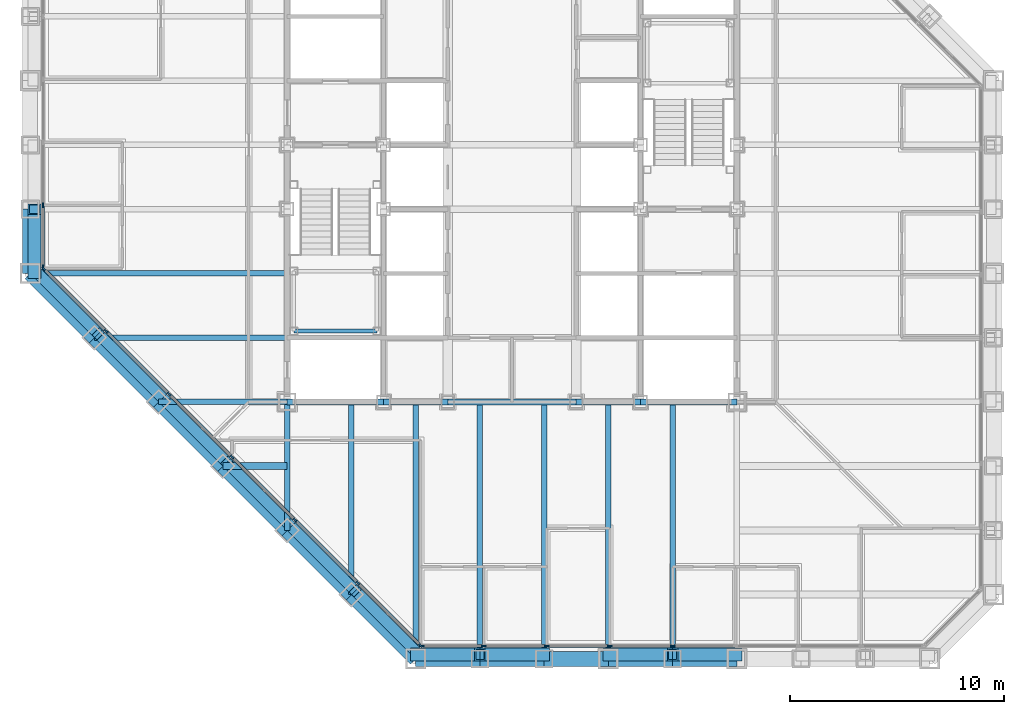
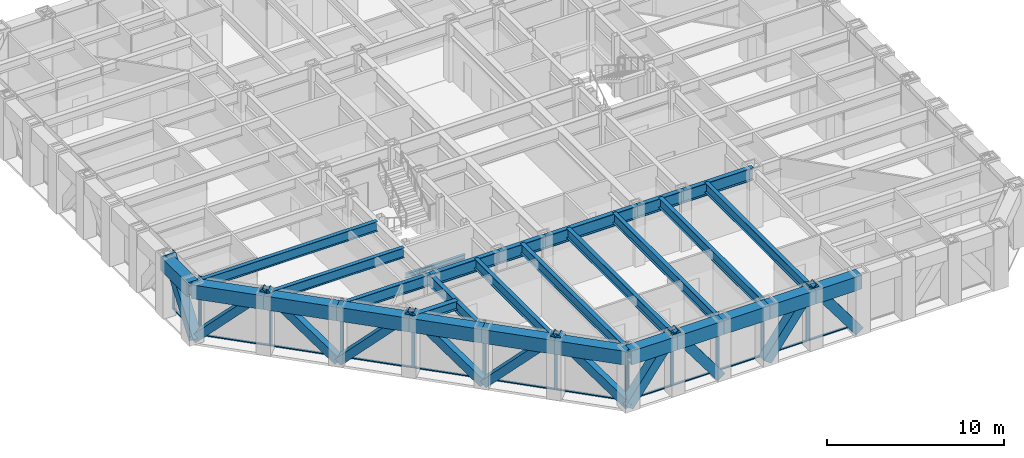
# One storey, part 4 of 17: 37 members, 29 beams, 3 elements without a shape of their own.
"""IFC4 building model written with IfcOpenShell, lengths in metres."""

from ifc_helpers import new_model, si_unit, direction, frame, origin, origin_2d, place, context, subcontext, project, spatial, rectangle, hollow_rectangle, i_section, extrude, material, layer, layer_set, material_profile, profile_set, type_object, element, aggregate, save


model = new_model("IFC4")

# Units and contexts
model_context = context("Model", 3, precision=1e-05, world=origin(), true_north=direction((0.0, 1.0)))
body_context = subcontext(model_context, "Body", "Model", "MODEL_VIEW")
ifc_project = project(units=[si_unit("LENGTHUNIT", "METRE"), si_unit("AREAUNIT", "SQUARE_METRE"), si_unit("VOLUMEUNIT", "CUBIC_METRE"), si_unit("PLANEANGLEUNIT", "RADIAN"), si_unit("MASSUNIT", "GRAM", prefix="KILO")], contexts=[model_context])

# Site, building, storey
site_placement = place(None, origin())
site = spatial("IfcSite", under=ifc_project, at=site_placement, CompositionType="ELEMENT")
building_placement = place(site_placement, origin())
building = spatial("IfcBuilding", under=site, at=building_placement, Name="Chuquiago Exchange Tower", CompositionType="ELEMENT")
storey_placement = place(building_placement, frame((0.0, 0.0, 165.60009765625)))
storey = spatial("IfcBuildingStorey", under=building, at=storey_placement, Name="L36", CompositionType="ELEMENT", Elevation=165.60009765625)

# Beams
ifc_material_1 = material(Name="Steel ASTM A992", Category="steel")
ifc_material_profile_1 = material_profile(ifc_material_1, i_section(OverallWidth=0.25390625, OverallDepth=0.683349609375, WebThickness=0.012451171875, FlangeThickness=0.018798828125, at=origin_2d()), Name="W27X94")
ifc_profile_set_1 = profile_set([ifc_material_profile_1], Name="Steel ASTM A992")
beam_type_1 = type_object("IfcBeamType", Name="B1 W27X94", PredefinedType="BEAM", material=ifc_profile_set_1)
beam_1_placement = place(storey_placement, frame((15.0, 12.0, 3.6982421875), z_axis=(0.0, -1.0, 0.0), x_axis=(1.0, 0.0, 0.0)))
element("IfcBeam", 1, at=beam_1_placement, inside=storey, type_object=beam_type_1, Name="FB-L37-infill-15_12-15_3-0", PredefinedType="BEAM", context=body_context, shape_type="SweptSolid", body=[
    extrude(i_section(OverallWidth=0.25390625, OverallDepth=0.683349609375, WebThickness=0.012451171875, FlangeThickness=0.018798828125, at=origin_2d()), origin(), (0.0, 0.0, 1.0), 9.0),
])
for number, where, z_axis, x_axis, name in (
    (2, (18.0, 12.0, 3.6982421875), (0.0, -1.0, 0.0), (1.0, 0.0, 0.0), "FB-L37-infill-18_12-18_-0-0"),
    (3, (21.0, 12.0, 3.6982421875), (0.0, -1.0, 0.0), (1.0, 0.0, 0.0), "FB-L37-infill-21_12-21_-0-0"),
    (4, (24.0, 12.0, 3.6982421875), (0.0, -1.0, 0.0), (1.0, 0.0, 0.0), "FB-L37-infill-24_12-24_-0-0"),
    (5, (27.0, 12.0, 3.6982421875), (0.0, -1.0, 0.0), (1.0, 0.0, 0.0), "FB-L37-infill-27_12-27_-0-0"),
    (6, (30.0, 12.0, 3.6982421875), (0.0, -1.0, 0.0), (1.0, 0.0, 0.0), "FB-L37-infill-30_12-30_-0-0"),
):
    element("IfcBeam", number, at=place(storey_placement, frame(where, z_axis=z_axis, x_axis=x_axis)), inside=storey, type_object=beam_type_1, Name=name, PredefinedType="BEAM", context=body_context, shape_type="SweptSolid", body=[
        extrude(i_section(OverallWidth=0.25390625, OverallDepth=0.683349609375, WebThickness=0.012451171875, FlangeThickness=0.018798828125, at=origin_2d()), origin(), (0.0, 0.0, 1.0), 12.0),
    ])
beam_2_placement = place(storey_placement, frame((12.0, 15.0, 3.6982421875), z_axis=(-1.0, 0.0, 0.0), x_axis=(0.0, -1.0, 0.0)))
element("IfcBeam", 7, at=beam_2_placement, inside=storey, type_object=beam_type_1, Name="FB-L37-infill-12_15-3_15-0", PredefinedType="BEAM", context=body_context, shape_type="SweptSolid", body=[
    extrude(i_section(OverallWidth=0.25390625, OverallDepth=0.683349609375, WebThickness=0.012451171875, FlangeThickness=0.018798828125, at=origin_2d()), origin(), (0.0, 0.0, 1.0), 9.0),
])
beam_3_placement = place(storey_placement, frame((12.0, 18.0, 3.6982421875), z_axis=(-1.0, 0.0, 0.0), x_axis=(0.0, -1.0, 0.0)))
element("IfcBeam", 8, at=beam_3_placement, inside=storey, type_object=beam_type_1, Name="FB-L37-infill-12_18--0_18-0", PredefinedType="BEAM", context=body_context, shape_type="SweptSolid", body=[
    extrude(i_section(OverallWidth=0.25390625, OverallDepth=0.683349609375, WebThickness=0.012451171875, FlangeThickness=0.018798828125, at=origin_2d()), origin(), (0.0, 0.0, 1.0), 12.0),
])
ifc_material_2 = material(Name="Steel ASTM A992", Category="steel")
ifc_material_profile_2 = material_profile(ifc_material_2, i_section(OverallWidth=0.3251953125, OverallDepth=0.612060546875, WebThickness=0.0126953125, FlangeThickness=0.01904296875, at=origin_2d()), Name="W24X104")
ifc_profile_set_2 = profile_set([ifc_material_profile_2], Name="Steel ASTM A992")
beam_type_2 = type_object("IfcBeamType", Name="B2 W24X104", PredefinedType="BEAM", material=ifc_profile_set_2)
beam_4_placement = place(storey_placement, frame((12.0, 9.0, 3.73388671875), z_axis=(-1.0, 0.0, 0.0), x_axis=(0.0, -1.0, 0.0)))
element("IfcBeam", 9, at=beam_4_placement, inside=storey, type_object=beam_type_2, Name="FB-L37-corner-12_9-9_9-0", PredefinedType="BEAM", context=body_context, shape_type="SweptSolid", body=[
    extrude(i_section(OverallWidth=0.3251953125, OverallDepth=0.612060546875, WebThickness=0.0126953125, FlangeThickness=0.01904296875, at=origin_2d()), origin(), (0.0, 0.0, 1.0), 3.0),
])
ifc_material_3 = material(Name="Steel ASTM A992", Category="steel")
ifc_material_profile_3 = material_profile(ifc_material_3, i_section(OverallWidth=0.2919921875, OverallDepth=0.8583984375, WebThickness=0.01708984375, FlangeThickness=0.031005859375, at=origin_2d()), Name="W33X169")
ifc_profile_set_3 = profile_set([ifc_material_profile_3], Name="Steel ASTM A992")
beam_type_3 = type_object("IfcBeamType", Name="B3 W33X169", PredefinedType="BEAM", material=ifc_profile_set_3)
beam_5_placement = place(storey_placement, frame((12.0, 12.0, 3.610595703125), z_axis=(1.0, 0.0, 0.0), x_axis=(0.0, 1.0, 0.0)))
element("IfcBeam", 10, at=beam_5_placement, inside=storey, type_object=beam_type_3, Name="CB-L37-12_12-16.5_12", PredefinedType="BEAM", context=body_context, shape_type="SweptSolid", body=[
    extrude(i_section(OverallWidth=0.2919921875, OverallDepth=0.8583984375, WebThickness=0.01708984375, FlangeThickness=0.031005859375, at=origin_2d()), origin(), (0.0, 0.0, 1.0), 4.5),
])
beam_6_placement = place(storey_placement, frame((16.5, 12.0, 3.610595703125), z_axis=(1.0, 0.0, 0.0), x_axis=(0.0, 1.0, 0.0)))
element("IfcBeam", 11, at=beam_6_placement, inside=storey, type_object=beam_type_3, Name="CB-L37-16.5_12-19.5_12", PredefinedType="BEAM", context=body_context, shape_type="SweptSolid", body=[
    extrude(i_section(OverallWidth=0.2919921875, OverallDepth=0.8583984375, WebThickness=0.01708984375, FlangeThickness=0.031005859375, at=origin_2d()), origin(), (0.0, 0.0, 1.0), 3.0),
])
beam_7_placement = place(storey_placement, frame((19.5, 12.0, 3.610595703125), z_axis=(1.0, 0.0, 0.0), x_axis=(0.0, 1.0, 0.0)))
element("IfcBeam", 12, at=beam_7_placement, inside=storey, type_object=beam_type_3, Name="CB-L37-19.5_12-25.5_12", PredefinedType="BEAM", context=body_context, shape_type="SweptSolid", body=[
    extrude(i_section(OverallWidth=0.2919921875, OverallDepth=0.8583984375, WebThickness=0.01708984375, FlangeThickness=0.031005859375, at=origin_2d()), origin(), (0.0, 0.0, 1.0), 6.0),
])
beam_8_placement = place(storey_placement, frame((25.5, 12.0, 3.610595703125), z_axis=(1.0, 0.0, 0.0), x_axis=(0.0, 1.0, 0.0)))
element("IfcBeam", 13, at=beam_8_placement, inside=storey, type_object=beam_type_3, Name="CB-L37-25.5_12-28.5_12", PredefinedType="BEAM", context=body_context, shape_type="SweptSolid", body=[
    extrude(i_section(OverallWidth=0.2919921875, OverallDepth=0.8583984375, WebThickness=0.01708984375, FlangeThickness=0.031005859375, at=origin_2d()), origin(), (0.0, 0.0, 1.0), 3.0),
])
beam_9_placement = place(storey_placement, frame((28.5, 12.0, 3.610595703125), z_axis=(1.0, 0.0, 0.0), x_axis=(0.0, 1.0, 0.0)))
element("IfcBeam", 14, at=beam_9_placement, inside=storey, type_object=beam_type_3, Name="CB-L37-28.5_12-33_12", PredefinedType="BEAM", context=body_context, shape_type="SweptSolid", body=[
    extrude(i_section(OverallWidth=0.2919921875, OverallDepth=0.8583984375, WebThickness=0.01708984375, FlangeThickness=0.031005859375, at=origin_2d()), origin(), (0.0, 0.0, 1.0), 4.5),
])

# Curtain wall, members
ifc_material_4 = material(Name="Aluminium curtain wall system", Category="aluminium")
ifc_layer_1 = layer(ifc_material_4, 0.22509765625)
ifc_layer_set_1 = layer_set([ifc_layer_1], Name="CW2 office curtain wall")
curtain_wall_type_1 = type_object("IfcCurtainWallType", Name="CW2 office curtain wall", PredefinedType="NOTDEFINED", material=ifc_layer_set_1)
curtain_wall_1_placement = place(storey_placement, origin())
curtain_wall_1 = element("IfcCurtainWall", 15, at=curtain_wall_1_placement, inside=storey, type_object=curtain_wall_type_1, Name="CW2 curtain wall L36", PredefinedType="NOTDEFINED")
ifc_material_5 = material(Name="Aluminium mullion, pale anodised", Category="aluminium")
ifc_material_profile_4 = material_profile(ifc_material_5, rectangle(XDim=0.06494140625, YDim=0.22509765625, at=origin_2d()), Name="AL 65x225")
ifc_profile_set_4 = profile_set([ifc_material_profile_4], Name="Aluminium mullion, pale anodised")
member_type_1 = type_object("IfcMemberType", Name="CW2-M mullion 65x225", PredefinedType="MULLION", material=ifc_profile_set_4)
member_1_placement = place(storey_placement, frame((18.281005859375, 0.60009765625, 0.0), z_axis=(0.0, 0.0, 1.0), x_axis=(0.0, 1.0, 0.0)))
member_1 = element("IfcMember", 16, at=member_1_placement, type_object=member_type_1, Name="CW2 mullion 1", PredefinedType="MULLION", context=body_context, shape_type="SweptSolid", body=[
    extrude(rectangle(XDim=0.06494140625, YDim=0.22509765625, at=origin_2d()), origin(), (0.0, 0.0, 1.0), 4.039794921875),
])
member_2_placement = place(storey_placement, frame((21.186279296875, 0.60009765625, 0.0), z_axis=(0.0, 0.0, 1.0), x_axis=(0.0, 1.0, 0.0)))
member_2 = element("IfcMember", 17, at=member_2_placement, type_object=member_type_1, Name="CW2 mullion 2", PredefinedType="MULLION", context=body_context, shape_type="SweptSolid", body=[
    extrude(rectangle(XDim=0.06494140625, YDim=0.22509765625, at=origin_2d()), origin(), (0.0, 0.0, 1.0), 4.039794921875),
])
member_3_placement = place(storey_placement, frame((24.124267578125, 0.60009765625, 0.0), z_axis=(0.0, 0.0, 1.0), x_axis=(0.0, 1.0, 0.0)))
member_3 = element("IfcMember", 18, at=member_3_placement, type_object=member_type_1, Name="CW2 mullion 3", PredefinedType="MULLION", context=body_context, shape_type="SweptSolid", body=[
    extrude(rectangle(XDim=0.06494140625, YDim=0.22509765625, at=origin_2d()), origin(), (0.0, 0.0, 1.0), 4.039794921875),
])
member_4_placement = place(storey_placement, frame((27.06201171875, 0.60009765625, 0.0), z_axis=(0.0, 0.0, 1.0), x_axis=(0.0, 1.0, 0.0)))
member_4 = element("IfcMember", 19, at=member_4_placement, type_object=member_type_1, Name="CW2 mullion 4", PredefinedType="MULLION", context=body_context, shape_type="SweptSolid", body=[
    extrude(rectangle(XDim=0.06494140625, YDim=0.22509765625, at=origin_2d()), origin(), (0.0, 0.0, 1.0), 4.039794921875),
])
member_5_placement = place(storey_placement, frame((30.0, 0.60009765625, 0.0), z_axis=(0.0, 0.0, 1.0), x_axis=(0.0, 1.0, 0.0)))
member_5 = element("IfcMember", 20, at=member_5_placement, type_object=member_type_1, Name="CW2 mullion 5", PredefinedType="MULLION", context=body_context, shape_type="SweptSolid", body=[
    extrude(rectangle(XDim=0.06494140625, YDim=0.22509765625, at=origin_2d()), origin(), (0.0, 0.0, 1.0), 4.039794921875),
])

curtain_wall_2_placement = place(storey_placement, origin())
curtain_wall_2 = element("IfcCurtainWall", 21, at=curtain_wall_2_placement, inside=storey, type_object=curtain_wall_type_1, Name="CW2 curtain wall L36", PredefinedType="NOTDEFINED")
member_6_placement = place(storey_placement, frame((0.60009765625, 21.186279296875, 0.0), z_axis=(0.0, 0.0, 1.0), x_axis=(1.0, 0.0, 0.0)))
member_6 = element("IfcMember", 22, at=member_6_placement, type_object=member_type_1, Name="CW2 mullion 8", PredefinedType="MULLION", context=body_context, shape_type="SweptSolid", body=[
    extrude(rectangle(XDim=0.06494140625, YDim=0.22509765625, at=origin_2d()), origin(), (0.0, 0.0, 1.0), 4.039794921875),
])
member_7_placement = place(storey_placement, frame((0.60009765625, 18.281005859375, 0.0), z_axis=(0.0, 0.0, 1.0), x_axis=(1.0, 0.0, 0.0)))
member_7 = element("IfcMember", 23, at=member_7_placement, type_object=member_type_1, Name="CW2 mullion 9", PredefinedType="MULLION", context=body_context, shape_type="SweptSolid", body=[
    extrude(rectangle(XDim=0.06494140625, YDim=0.22509765625, at=origin_2d()), origin(), (0.0, 0.0, 1.0), 4.039794921875),
])

# Member
ifc_material_6 = material(Name="Aluminium transom, pale anodised", Category="aluminium")
ifc_material_profile_5 = material_profile(ifc_material_6, rectangle(XDim=0.139892578125, YDim=0.06494140625, at=origin_2d()), Name="AL 140x65")
ifc_profile_set_5 = profile_set([ifc_material_profile_5], Name="Aluminium transom, pale anodised")
member_type_2 = type_object("IfcMemberType", Name="CW2-T transom 65x140", PredefinedType="MULLION", material=ifc_profile_set_5)
member_8_placement = place(storey_placement, frame((18.3134765625, 0.60009765625, 0.032470703125), z_axis=(1.0, 0.0, 0.0), x_axis=(0.0, 1.0, 0.0)))
member_8 = element("IfcMember", 24, at=member_8_placement, type_object=member_type_2, Name="CW2 transom 1.1", PredefinedType="MULLION", context=body_context, shape_type="SweptSolid", body=[
    extrude(rectangle(XDim=0.139892578125, YDim=0.06494140625, at=origin_2d()), origin(), (0.0, 0.0, 1.0), 2.84033203125),
])

member_9_placement = place(storey_placement, frame((21.218994140625, 0.60009765625, 0.032470703125), z_axis=(1.0, 0.0, 0.0), x_axis=(0.0, 1.0, 0.0)))
member_9 = element("IfcMember", 25, at=member_9_placement, type_object=member_type_2, Name="CW2 transom 2.1", PredefinedType="MULLION", context=body_context, shape_type="SweptSolid", body=[
    extrude(rectangle(XDim=0.139892578125, YDim=0.06494140625, at=origin_2d()), origin(), (0.0, 0.0, 1.0), 2.872802734375),
])

member_10_placement = place(storey_placement, frame((24.15673828125, 0.60009765625, 0.032470703125), z_axis=(1.0, 0.0, 0.0), x_axis=(0.0, 1.0, 0.0)))
member_10 = element("IfcMember", 26, at=member_10_placement, type_object=member_type_2, Name="CW2 transom 3.1", PredefinedType="MULLION", context=body_context, shape_type="SweptSolid", body=[
    extrude(rectangle(XDim=0.139892578125, YDim=0.06494140625, at=origin_2d()), origin(), (0.0, 0.0, 1.0), 2.872802734375),
])

member_11_placement = place(storey_placement, frame((27.0947265625, 0.60009765625, 0.032470703125), z_axis=(1.0, 0.0, 0.0), x_axis=(0.0, 1.0, 0.0)))
member_11 = element("IfcMember", 27, at=member_11_placement, type_object=member_type_2, Name="CW2 transom 4.1", PredefinedType="MULLION", context=body_context, shape_type="SweptSolid", body=[
    extrude(rectangle(XDim=0.139892578125, YDim=0.06494140625, at=origin_2d()), origin(), (0.0, 0.0, 1.0), 2.872802734375),
])

member_12_placement = place(storey_placement, frame((30.032470703125, 0.60009765625, 0.032470703125), z_axis=(1.0, 0.0, 0.0), x_axis=(0.0, 1.0, 0.0)))
member_12 = element("IfcMember", 28, at=member_12_placement, type_object=member_type_2, Name="CW2 transom 5.1", PredefinedType="MULLION", context=body_context, shape_type="SweptSolid", body=[
    extrude(rectangle(XDim=0.139892578125, YDim=0.06494140625, at=origin_2d()), origin(), (0.0, 0.0, 1.0), 2.872802734375),
])

aggregate(curtain_wall_1, [member_1, member_2, member_3, member_4, member_5, member_8, member_9, member_10, member_11, member_12])

member_13_placement = place(storey_placement, frame((0.60009765625, 21.15380859375, 0.032470703125), z_axis=(0.0, -1.0, 0.0), x_axis=(1.0, 0.0, 0.0)))
member_13 = element("IfcMember", 29, at=member_13_placement, type_object=member_type_2, Name="CW2 transom 8.1", PredefinedType="MULLION", context=body_context, shape_type="SweptSolid", body=[
    extrude(rectangle(XDim=0.139892578125, YDim=0.06494140625, at=origin_2d()), origin(), (0.0, 0.0, 1.0), 2.84033203125),
])

aggregate(curtain_wall_2, [member_6, member_7, member_13])

# Curtain wall, members
ifc_material_7 = material(Name="Aluminium curtain wall system", Category="aluminium")
ifc_layer_2 = layer(ifc_material_7, 0.199951171875)
ifc_layer_set_2 = layer_set([ifc_layer_2], Name="CW3 facet curtain wall")
curtain_wall_type_2 = type_object("IfcCurtainWallType", Name="CW3 facet curtain wall", PredefinedType="NOTDEFINED", material=ifc_layer_set_2)
curtain_wall_3_placement = place(storey_placement, origin())
curtain_wall_3 = element("IfcCurtainWall", 30, at=curtain_wall_3_placement, inside=storey, type_object=curtain_wall_type_2, Name="CW3 curtain wall L36", PredefinedType="NOTDEFINED")
ifc_material_8 = material(Name="Aluminium mullion, pale anodised", Category="aluminium")
ifc_material_profile_6 = material_profile(ifc_material_8, rectangle(XDim=0.06494140625, YDim=0.199951171875, at=origin_2d()), Name="AL 65x200")
ifc_profile_set_6 = profile_set([ifc_material_profile_6], Name="Aluminium mullion, pale anodised")
member_type_3 = type_object("IfcMemberType", Name="CW3-M mullion 65x200", PredefinedType="MULLION", material=ifc_profile_set_6)
member_14_placement = place(storey_placement, frame((0.623046875, 18.2255859375, 0.0), z_axis=(0.0, 0.0, 1.0), x_axis=(0.707106781187, 0.707106781187, 0.0)))
member_14 = element("IfcMember", 31, at=member_14_placement, type_object=member_type_3, Name="CW3 mullion 1", PredefinedType="MULLION", context=body_context, shape_type="SweptSolid", body=[
    extrude(rectangle(XDim=0.06494140625, YDim=0.199951171875, at=origin_2d()), origin(), (0.0, 0.0, 1.0), 4.039794921875),
])
member_15_placement = place(storey_placement, frame((3.54150390625, 15.30712890625, 0.0), z_axis=(0.0, 0.0, 1.0), x_axis=(0.707106781187, 0.707106781187, 0.0)))
member_15 = element("IfcMember", 32, at=member_15_placement, type_object=member_type_3, Name="CW3 mullion 2", PredefinedType="MULLION", context=body_context, shape_type="SweptSolid", body=[
    extrude(rectangle(XDim=0.06494140625, YDim=0.199951171875, at=origin_2d()), origin(), (0.0, 0.0, 1.0), 4.039794921875),
])
member_16_placement = place(storey_placement, frame((6.48291015625, 12.36572265625, 0.0), z_axis=(0.0, 0.0, 1.0), x_axis=(0.707106781187, 0.707106781187, 0.0)))
member_16 = element("IfcMember", 33, at=member_16_placement, type_object=member_type_3, Name="CW3 mullion 3", PredefinedType="MULLION", context=body_context, shape_type="SweptSolid", body=[
    extrude(rectangle(XDim=0.06494140625, YDim=0.199951171875, at=origin_2d()), origin(), (0.0, 0.0, 1.0), 4.039794921875),
])
member_17_placement = place(storey_placement, frame((9.42431640625, 9.42431640625, 0.0), z_axis=(0.0, 0.0, 1.0), x_axis=(0.707106781187, 0.707106781187, 0.0)))
member_17 = element("IfcMember", 34, at=member_17_placement, type_object=member_type_3, Name="CW3 mullion 4", PredefinedType="MULLION", context=body_context, shape_type="SweptSolid", body=[
    extrude(rectangle(XDim=0.06494140625, YDim=0.199951171875, at=origin_2d()), origin(), (0.0, 0.0, 1.0), 4.039794921875),
])
member_18_placement = place(storey_placement, frame((12.36572265625, 6.48291015625, 0.0), z_axis=(0.0, 0.0, 1.0), x_axis=(0.707106781187, 0.707106781187, 0.0)))
member_18 = element("IfcMember", 35, at=member_18_placement, type_object=member_type_3, Name="CW3 mullion 5", PredefinedType="MULLION", context=body_context, shape_type="SweptSolid", body=[
    extrude(rectangle(XDim=0.06494140625, YDim=0.199951171875, at=origin_2d()), origin(), (0.0, 0.0, 1.0), 4.039794921875),
])
member_19_placement = place(storey_placement, frame((15.30712890625, 3.54150390625, 0.0), z_axis=(0.0, 0.0, 1.0), x_axis=(0.707106781187, 0.707106781187, 0.0)))
member_19 = element("IfcMember", 36, at=member_19_placement, type_object=member_type_3, Name="CW3 mullion 6", PredefinedType="MULLION", context=body_context, shape_type="SweptSolid", body=[
    extrude(rectangle(XDim=0.06494140625, YDim=0.199951171875, at=origin_2d()), origin(), (0.0, 0.0, 1.0), 4.039794921875),
])
member_20_placement = place(storey_placement, frame((18.2255859375, 0.623046875, 0.0), z_axis=(0.0, 0.0, 1.0), x_axis=(0.707106781187, 0.707106781187, 0.0)))
member_20 = element("IfcMember", 37, at=member_20_placement, type_object=member_type_3, Name="CW3 mullion 7", PredefinedType="MULLION", context=body_context, shape_type="SweptSolid", body=[
    extrude(rectangle(XDim=0.06494140625, YDim=0.199951171875, at=origin_2d()), origin(), (0.0, 0.0, 1.0), 4.039794921875),
])
ifc_material_9 = material(Name="Aluminium transom, pale anodised", Category="aluminium")
ifc_material_profile_7 = material_profile(ifc_material_9, rectangle(XDim=0.139892578125, YDim=0.06494140625, at=origin_2d()), Name="AL 140x65")
ifc_profile_set_7 = profile_set([ifc_material_profile_7], Name="Aluminium transom, pale anodised")
member_type_4 = type_object("IfcMemberType", Name="CW3-T transom 65x140", PredefinedType="MULLION", material=ifc_profile_set_7)
member_21_placement = place(storey_placement, frame((0.64599609375, 18.20263671875, 0.032470703125), z_axis=(0.707106781187, -0.707106781187, 0.0), x_axis=(0.707106781187, 0.707106781187, 0.0)))
member_21 = element("IfcMember", 38, at=member_21_placement, type_object=member_type_4, Name="CW3 transom 1.1", PredefinedType="MULLION", context=body_context, shape_type="SweptSolid", body=[
    extrude(rectangle(XDim=0.139892578125, YDim=0.06494140625, at=origin_2d()), origin(), (0.0, 0.0, 1.0), 4.0625),
])
member_22_placement = place(storey_placement, frame((3.564453125, 15.2841796875, 0.032470703125), z_axis=(0.707106781187, -0.707106781187, 0.0), x_axis=(0.707106781187, 0.707106781187, 0.0)))
member_22 = element("IfcMember", 39, at=member_22_placement, type_object=member_type_4, Name="CW3 transom 2.1", PredefinedType="MULLION", context=body_context, shape_type="SweptSolid", body=[
    extrude(rectangle(XDim=0.139892578125, YDim=0.06494140625, at=origin_2d()), origin(), (0.0, 0.0, 1.0), 4.094970703125),
])
member_23_placement = place(storey_placement, frame((6.505859375, 12.3427734375, 0.032470703125), z_axis=(0.707106781187, -0.707106781187, 0.0), x_axis=(0.707106781187, 0.707106781187, 0.0)))
member_23 = element("IfcMember", 40, at=member_23_placement, type_object=member_type_4, Name="CW3 transom 3.1", PredefinedType="MULLION", context=body_context, shape_type="SweptSolid", body=[
    extrude(rectangle(XDim=0.139892578125, YDim=0.06494140625, at=origin_2d()), origin(), (0.0, 0.0, 1.0), 4.094970703125),
])
member_24_placement = place(storey_placement, frame((9.447265625, 9.4013671875, 0.032470703125), z_axis=(0.707106781187, -0.707106781187, 0.0), x_axis=(0.707106781187, 0.707106781187, 0.0)))
member_24 = element("IfcMember", 41, at=member_24_placement, type_object=member_type_4, Name="CW3 transom 4.1", PredefinedType="MULLION", context=body_context, shape_type="SweptSolid", body=[
    extrude(rectangle(XDim=0.139892578125, YDim=0.06494140625, at=origin_2d()), origin(), (0.0, 0.0, 1.0), 4.094970703125),
])
member_25_placement = place(storey_placement, frame((12.388671875, 6.4599609375, 0.032470703125), z_axis=(0.707106781187, -0.707106781187, 0.0), x_axis=(0.707106781187, 0.707106781187, 0.0)))
member_25 = element("IfcMember", 42, at=member_25_placement, type_object=member_type_4, Name="CW3 transom 5.1", PredefinedType="MULLION", context=body_context, shape_type="SweptSolid", body=[
    extrude(rectangle(XDim=0.139892578125, YDim=0.06494140625, at=origin_2d()), origin(), (0.0, 0.0, 1.0), 4.094970703125),
])
member_26_placement = place(storey_placement, frame((15.330078125, 3.5185546875, 0.032470703125), z_axis=(0.707106781187, -0.707106781187, 0.0), x_axis=(0.707106781187, 0.707106781187, 0.0)))
member_26 = element("IfcMember", 43, at=member_26_placement, type_object=member_type_4, Name="CW3 transom 6.1", PredefinedType="MULLION", context=body_context, shape_type="SweptSolid", body=[
    extrude(rectangle(XDim=0.139892578125, YDim=0.06494140625, at=origin_2d()), origin(), (0.0, 0.0, 1.0), 4.0625),
])
aggregate(curtain_wall_3, [member_14, member_15, member_16, member_17, member_18, member_19, member_20, member_21, member_22, member_23, member_24, member_25, member_26])

# Beams
ifc_material_10 = material(Name="Steel ASTM A992", Category="steel")
ifc_material_profile_8 = material_profile(ifc_material_10, i_section(OverallWidth=0.2666015625, OverallDepth=0.76953125, WebThickness=0.015625, FlangeThickness=0.025390625, at=origin_2d()), Name="W30X132")
ifc_profile_set_8 = profile_set([ifc_material_profile_8], Name="Steel ASTM A992")
beam_type_4 = type_object("IfcBeamType", Name="G1 W30X132", PredefinedType="BEAM", material=ifc_profile_set_8)
for number, where, z_axis, x_axis, name in (
    (44, (12.0, 12.0, 3.655029296875), (0.0, -1.0, 0.0), (1.0, 0.0, 0.0), "FB-L37-girder-12_12-12_6-0"),
    (45, (12.0, 12.0, 3.655029296875), (-1.0, 0.0, 0.0), (0.0, -1.0, 0.0), "FB-L37-girder-12_12-6_12-0"),
):
    element("IfcBeam", number, at=place(storey_placement, frame(where, z_axis=z_axis, x_axis=x_axis)), inside=storey, type_object=beam_type_4, Name=name, PredefinedType="BEAM", context=body_context, shape_type="SweptSolid", body=[
        extrude(i_section(OverallWidth=0.2666015625, OverallDepth=0.76953125, WebThickness=0.015625, FlangeThickness=0.025390625, at=origin_2d()), origin(), (0.0, 0.0, 1.0), 6.0),
    ])

# Members
ifc_material_11 = material(Name="Steel ASTM A500 Grade C", Category="steel")
ifc_material_profile_9 = material_profile(ifc_material_11, hollow_rectangle(XDim=0.508056640625, YDim=0.508056640625, WallThickness=0.017822265625, at=origin_2d()), Name="HSS20X20X3/4")
ifc_profile_set_9 = profile_set([ifc_material_profile_9], Name="Steel ASTM A500 Grade C")
member_type_5 = type_object("IfcMemberType", Name="LB1 HSS20X20X3/4", PredefinedType="BRACE", material=ifc_profile_set_9)
for number, where, z_axis, x_axis, name in (
    (46, (0.177490234375, 18.177490234375, 0.0), (0.51209198167, -0.51209198167, 0.689582195694), (0.707106781187, 0.707106781187, 0.0), "LB-L36-0_18-3_15"),
    (47, (6.177490234375, 12.177490234375, 0.0), (-0.51209198167, 0.51209198167, 0.689582195694), (-0.707106781187, -0.707106781187, 0.0), "LB-L36-3_15-6_12"),
    (48, (6.177490234375, 12.177490234375, 0.0), (0.51209198167, -0.51209198167, 0.689582195694), (0.707106781187, 0.707106781187, 0.0), "LB-L36-6_12-9_9"),
    (49, (12.177490234375, 6.177490234375, 0.0), (-0.51209198167, 0.51209198167, 0.689582195694), (-0.707106781187, -0.707106781187, 0.0), "LB-L36-9_9-12_6"),
    (50, (12.177490234375, 6.177490234375, 0.0), (0.51209198167, -0.51209198167, 0.689582195694), (0.707106781187, 0.707106781187, 0.0), "LB-L36-12_6-15_3"),
    (51, (18.177490234375, 0.177490234375, 0.0), (-0.51209198167, 0.51209198167, 0.689582195694), (-0.707106781187, -0.707106781187, 0.0), "LB-L36-15_3-18_0"),
):
    element("IfcMember", number, at=place(storey_placement, frame(where, z_axis=z_axis, x_axis=x_axis)), inside=storey, type_object=member_type_5, Name=name, PredefinedType="BRACE", context=body_context, shape_type="SweptSolid", body=[
        extrude(hollow_rectangle(XDim=0.508056640625, YDim=0.508056640625, WallThickness=0.017822265625, at=origin_2d()), origin(), (0.0, 0.0, 1.0), 5.8583984375),
    ])

# Beam
ifc_material_12 = material(Name="Steel ASTM A992", Category="steel")
ifc_material_profile_10 = material_profile(ifc_material_12, i_section(OverallWidth=0.164794921875, OverallDepth=0.309814453125, WebThickness=0.005859375, FlangeThickness=0.009765625, at=origin_2d()), Name="W12X26")
ifc_profile_set_10 = profile_set([ifc_material_profile_10], Name="Steel ASTM A992")
beam_type_5 = type_object("IfcBeamType", Name="LT1 W12X26", PredefinedType="BEAM", material=ifc_profile_set_10)
beam_10_placement = place(storey_placement, frame((12.31005859375, 15.31005859375, 1.7451171875), z_axis=(1.0, 0.0, 0.0), x_axis=(0.0, 1.0, 0.0)))
element("IfcBeam", 52, at=beam_10_placement, inside=storey, type_object=beam_type_5, Name="Stair ST1 L36 landing 1 trimmer", PredefinedType="BEAM", context=body_context, shape_type="SweptSolid", body=[
    extrude(i_section(OverallWidth=0.164794921875, OverallDepth=0.309814453125, WebThickness=0.005859375, FlangeThickness=0.009765625, at=origin_2d()), origin(), (0.0, 0.0, 1.0), 3.8798828125),
])

# Members
ifc_material_13 = material(Name="Steel ASTM A572 Grade 50", Category="steel")
ifc_material_profile_11 = material_profile(ifc_material_13, hollow_rectangle(XDim=0.60009765625, YDim=0.60009765625, WallThickness=0.06005859375, at=origin_2d()), Name="BOX600X600X60")
ifc_profile_set_11 = profile_set([ifc_material_profile_11], Name="Steel ASTM A572 Grade 50")
member_type_6 = type_object("IfcMemberType", Name="MB2 BOX600X600X60", PredefinedType="BRACE", material=ifc_profile_set_11)
for number, where, z_axis, x_axis, name in (
    (53, (18.0, 0.205078125, 0.0), (0.596197146086, 0.0, 0.802838067732), (0.0, 1.0, 0.0), "Mega diagonal L36 S face"),
    (54, (24.0, 0.205078125, 0.0), (-0.596197146086, 0.0, 0.802838067732), (0.0, -1.0, 0.0), "Mega diagonal L36 S face"),
    (55, (27.0, 0.205078125, 0.0), (0.596197146086, 0.0, 0.802838067732), (0.0, 1.0, 0.0), "Mega diagonal L36 S face"),
    (56, (33.0, 0.205078125, 0.0), (-0.596197146086, 0.0, 0.802838067732), (0.0, -1.0, 0.0), "Mega diagonal L36 S face"),
    (57, (0.205078125, 18.0, 0.0), (0.0, 0.596197146086, 0.802838067732), (-1.0, 0.0, 0.0), "Mega diagonal L36 W face"),
):
    element("IfcMember", number, at=place(storey_placement, frame(where, z_axis=z_axis, x_axis=x_axis)), inside=storey, type_object=member_type_6, Name=name, PredefinedType="BRACE", context=body_context, shape_type="SweptSolid", body=[
        extrude(hollow_rectangle(XDim=0.60009765625, YDim=0.60009765625, WallThickness=0.06005859375, at=origin_2d()), origin(), (0.0, 0.0, 1.0), 5.031982421875),
    ])

# Beams
ifc_material_14 = material(Name="Steel ASTM A572 Grade 50", Category="steel")
ifc_material_profile_12 = material_profile(ifc_material_14, hollow_rectangle(XDim=0.699951171875, YDim=0.949951171875, WallThickness=0.10009765625, at=origin_2d()), Name="BOX950X700X100")
ifc_profile_set_12 = profile_set([ifc_material_profile_12], Name="Steel ASTM A572 Grade 50")
beam_type_6 = type_object("IfcBeamType", Name="SP5 BOX950X700X100", PredefinedType="SPANDREL", material=ifc_profile_set_12)
for number, where, z_axis, x_axis, name in (
    (58, (18.0, 0.0, 3.56494140625), (1.0, 0.0, 0.0), (0.0, 1.0, 0.0), "SPB-L37-18_0-21_0"),
    (59, (21.0, 0.0, 3.56494140625), (1.0, 0.0, 0.0), (0.0, 1.0, 0.0), "SPB-L37-21_0-24_0"),
    (60, (24.0, 0.0, 3.56494140625), (1.0, 0.0, 0.0), (0.0, 1.0, 0.0), "SPB-L37-24_0-27_0"),
    (61, (27.0, 0.0, 3.56494140625), (1.0, 0.0, 0.0), (0.0, 1.0, 0.0), "SPB-L37-27_0-30_0"),
    (62, (30.0, 0.0, 3.56494140625), (1.0, 0.0, 0.0), (0.0, 1.0, 0.0), "SPB-L37-30_0-33_0"),
    (63, (0.0, 21.0, 3.56494140625), (0.0, -1.0, 0.0), (1.0, 0.0, 0.0), "SPB-L37-0_21-0_18"),
):
    element("IfcBeam", number, at=place(storey_placement, frame(where, z_axis=z_axis, x_axis=x_axis)), inside=storey, type_object=beam_type_6, Name=name, PredefinedType="SPANDREL", context=body_context, shape_type="SweptSolid", body=[
        extrude(hollow_rectangle(XDim=0.699951171875, YDim=0.949951171875, WallThickness=0.10009765625, at=origin_2d()), origin(), (0.0, 0.0, 1.0), 3.0),
    ])
for number, where, z_axis, x_axis, name in (
    (64, (0.0, 18.0, 3.56494140625), (0.707106781187, -0.707106781187, 0.0), (0.707106781187, 0.707106781187, 0.0), "SPB-L37-0_18-3_15"),
    (65, (3.0, 15.0, 3.56494140625), (0.707106781187, -0.707106781187, 0.0), (0.707106781187, 0.707106781187, 0.0), "SPB-L37-3_15-6_12"),
    (66, (6.0, 12.0, 3.56494140625), (0.707106781187, -0.707106781187, 0.0), (0.707106781187, 0.707106781187, 0.0), "SPB-L37-6_12-9_9"),
    (67, (9.0, 9.0, 3.56494140625), (0.707106781187, -0.707106781187, 0.0), (0.707106781187, 0.707106781187, 0.0), "SPB-L37-9_9-12_6"),
    (68, (12.0, 6.0, 3.56494140625), (0.707106781187, -0.707106781187, 0.0), (0.707106781187, 0.707106781187, 0.0), "SPB-L37-12_6-15_3"),
    (69, (15.0, 3.0, 3.56494140625), (0.707106781187, -0.707106781187, 0.0), (0.707106781187, 0.707106781187, 0.0), "SPB-L37-15_3-18_0"),
):
    element("IfcBeam", number, at=place(storey_placement, frame(where, z_axis=z_axis, x_axis=x_axis)), inside=storey, type_object=beam_type_6, Name=name, PredefinedType="SPANDREL", context=body_context, shape_type="SweptSolid", body=[
        extrude(hollow_rectangle(XDim=0.699951171875, YDim=0.949951171875, WallThickness=0.10009765625, at=origin_2d()), origin(), (0.0, 0.0, 1.0), 4.24267578125),
    ])

save(model, "model.ifc")
